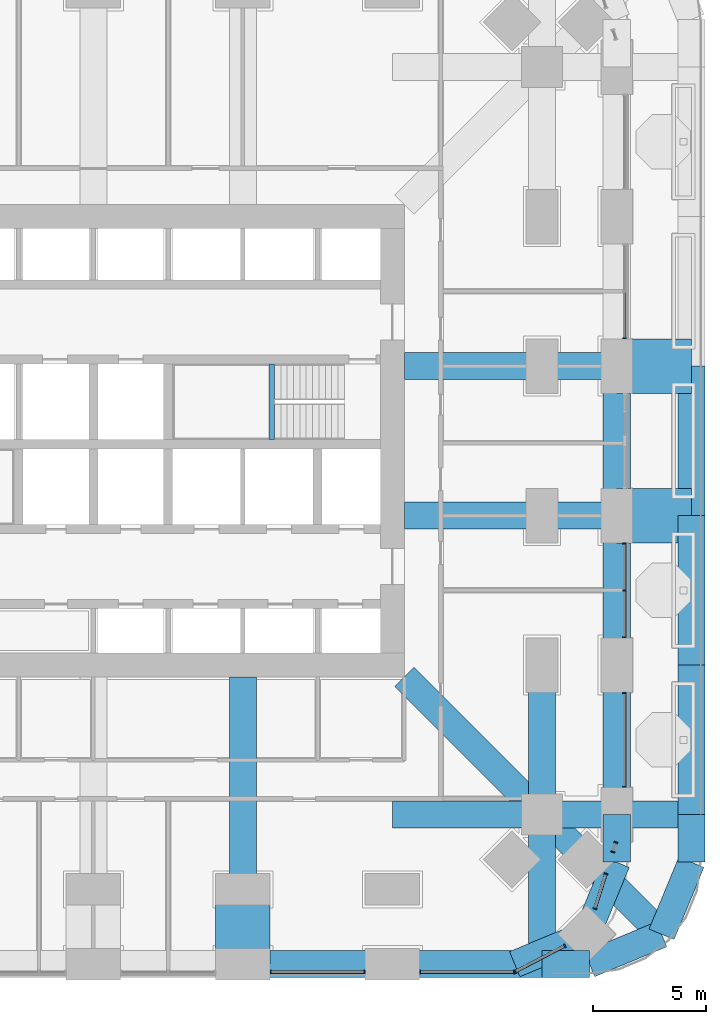
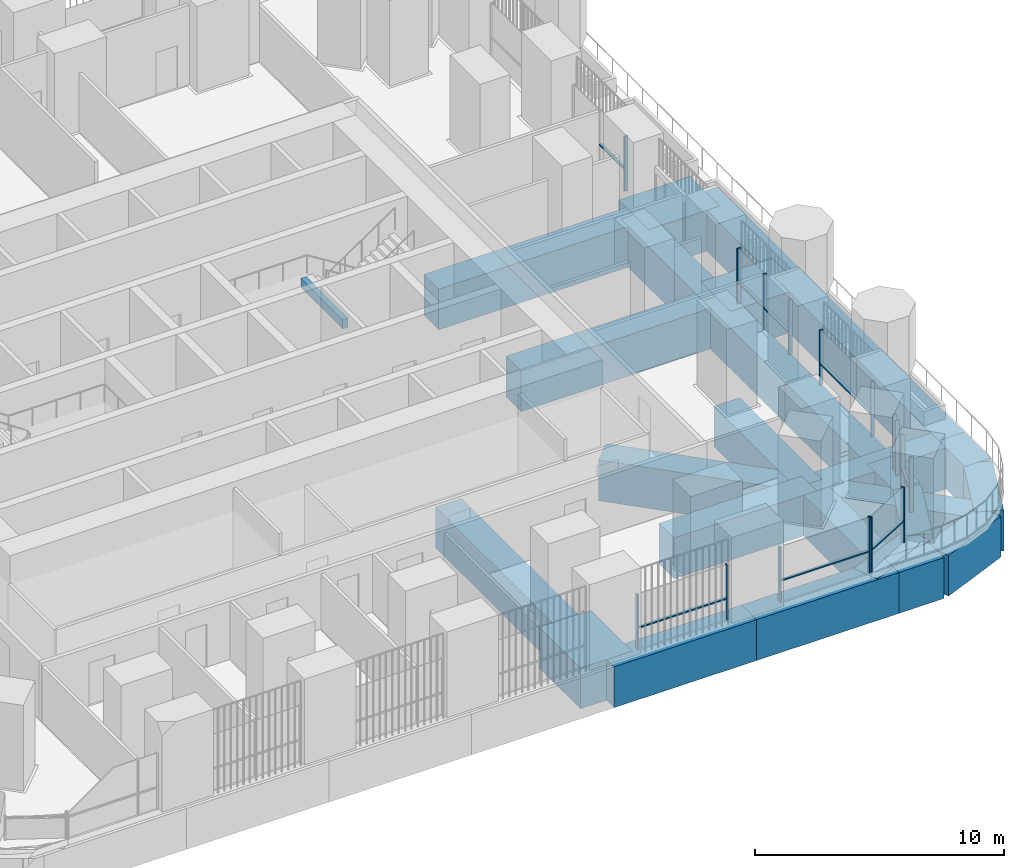
# One storey, part 5 of 27: 28 beams, 24 members, 8 elements without a shape of their own.
"""IFC4 building model written with IfcOpenShell, lengths in metres."""

from ifc_helpers import new_model, si_unit, direction, frame, origin, origin_2d, place, context, subcontext, project, spatial, rectangle, extrude, material, material_profile, profile_set, type_object, element, aggregate, save


model = new_model("IFC4")

# Units and contexts
model_context = context("Model", 3, precision=1e-05, world=origin(), true_north=direction((0.0, 1.0)))
body_context = subcontext(model_context, "Body", "Model", "MODEL_VIEW")
ifc_project = project(units=[si_unit("LENGTHUNIT", "METRE"), si_unit("AREAUNIT", "SQUARE_METRE"), si_unit("VOLUMEUNIT", "CUBIC_METRE"), si_unit("PLANEANGLEUNIT", "RADIAN"), si_unit("MASSUNIT", "GRAM", prefix="KILO")], contexts=[model_context])

# Site, building, storey
site_placement = place(None, origin())
site = spatial("IfcSite", under=ifc_project, at=site_placement, CompositionType="ELEMENT")
building_placement = place(site_placement, origin())
building = spatial("IfcBuilding", under=site, at=building_placement, Name="Cobogo Forest Laboratory Tower", CompositionType="ELEMENT")
storey_placement = place(building_placement, frame((0.0, 0.0, 82.199951171875)))
storey = spatial("IfcBuildingStorey", under=building, at=storey_placement, Name="L18", CompositionType="ELEMENT", Elevation=82.199951171875)

# Beam
ifc_material_1 = material(Name="Concrete HA-40 (C40/50)", Category="concrete")
ifc_material_profile_1 = material_profile(ifc_material_1, rectangle(XDim=0.25, YDim=0.449951171875, at=origin_2d()), Name="RC 250x450")
ifc_profile_set_1 = profile_set([ifc_material_profile_1], Name="Concrete HA-40 (C40/50)")
beam_type_1 = type_object("IfcBeamType", Name="LB1 landing beam 250x450", PredefinedType="BEAM", material=ifc_profile_set_1)
beam_1_placement = place(storey_placement, frame((34.27001953125, 23.14990234375, 1.675048828125), z_axis=(0.0, 1.0, 0.0), x_axis=(-1.0, 0.0, 0.0)))
element("IfcBeam", 1, at=beam_1_placement, inside=storey, type_object=beam_type_1, Name="Landing beam ST2 L18", PredefinedType="BEAM", context=body_context, shape_type="SweptSolid", body=[
    extrude(rectangle(XDim=0.25, YDim=0.449951171875, at=origin_2d()), origin(), (0.0, 0.0, 1.0), 3.35009765625),
])

# Curtain wall, members
ifc_material_2 = material(Name="Aluminium curtain wall", Category="aluminium")
curtain_wall_type = type_object("IfcCurtainWallType", Name="CW-1 unitised curtain wall, clear glazing, laboratory floors zones A and B", PredefinedType="USERDEFINED", material=ifc_material_2)
curtain_wall_1_placement = place(storey_placement, origin())
curtain_wall_1 = element("IfcCurtainWall", 2, at=curtain_wall_1_placement, inside=storey, type_object=curtain_wall_type, Name="Curtain wall 05 L18", ObjectType="UNITISED CURTAIN WALL", PredefinedType="USERDEFINED")
ifc_material_3 = material(Name="Aluminium mullion", Category="aluminium")
ifc_material_profile_2 = material_profile(ifc_material_3, rectangle(XDim=0.06005859375, YDim=0.159912109375, at=origin_2d()), Name="AL 60x160")
ifc_profile_set_2 = profile_set([ifc_material_profile_2], Name="Aluminium mullion")
member_type_1 = type_object("IfcMemberType", Name="MU-1 aluminium mullion 60x160", PredefinedType="MULLION", material=ifc_profile_set_2)
member_1_placement = place(storey_placement, frame((34.22998046875, -0.35009765625, 0.0), z_axis=(0.0, 0.0, 1.0), x_axis=(1.0, 0.0, 0.0)))
member_1 = element("IfcMember", 3, at=member_1_placement, type_object=member_type_1, Name="CW-1 mullion 1", PredefinedType="MULLION", context=body_context, shape_type="SweptSolid", body=[
    extrude(rectangle(XDim=0.06005859375, YDim=0.159912109375, at=origin_2d()), origin(), (0.0, 0.0, 1.0), 2.699951171875),
])
member_2_placement = place(storey_placement, frame((38.3701171875, -0.35009765625, 0.0), z_axis=(0.0, 0.0, 1.0), x_axis=(1.0, 0.0, 0.0)))
member_2 = element("IfcMember", 4, at=member_2_placement, type_object=member_type_1, Name="CW-1 mullion 2", PredefinedType="MULLION", context=body_context, shape_type="SweptSolid", body=[
    extrude(rectangle(XDim=0.06005859375, YDim=0.159912109375, at=origin_2d()), origin(), (0.0, 0.0, 1.0), 2.699951171875),
])

curtain_wall_2_placement = place(storey_placement, origin())
curtain_wall_2 = element("IfcCurtainWall", 5, at=curtain_wall_2_placement, inside=storey, type_object=curtain_wall_type, Name="Curtain wall 06 L18", ObjectType="UNITISED CURTAIN WALL", PredefinedType="USERDEFINED")
member_3_placement = place(storey_placement, frame((40.830078125, -0.35009765625, 0.0), z_axis=(0.0, 0.0, 1.0), x_axis=(1.0, 0.0, 0.0)))
member_3 = element("IfcMember", 6, at=member_3_placement, type_object=member_type_1, Name="CW-1 mullion 1", PredefinedType="MULLION", context=body_context, shape_type="SweptSolid", body=[
    extrude(rectangle(XDim=0.06005859375, YDim=0.159912109375, at=origin_2d()), origin(), (0.0, 0.0, 1.0), 2.699951171875),
])
member_4_placement = place(storey_placement, frame((44.969970703125, -0.35009765625, 0.0), z_axis=(0.0, 0.0, 1.0), x_axis=(1.0, 0.0, 0.0)))
member_4 = element("IfcMember", 7, at=member_4_placement, type_object=member_type_1, Name="CW-1 mullion 2", PredefinedType="MULLION", context=body_context, shape_type="SweptSolid", body=[
    extrude(rectangle(XDim=0.06005859375, YDim=0.159912109375, at=origin_2d()), origin(), (0.0, 0.0, 1.0), 2.699951171875),
])

curtain_wall_3_placement = place(storey_placement, origin())
curtain_wall_3 = element("IfcCurtainWall", 8, at=curtain_wall_3_placement, inside=storey, type_object=curtain_wall_type, Name="Curtain wall 07 L18", ObjectType="UNITISED CURTAIN WALL", PredefinedType="USERDEFINED")
member_5_placement = place(storey_placement, frame((45.026611328125, -0.336181640625, 0.0), z_axis=(0.0, 0.0, 1.0), x_axis=(0.885686598126, 0.4642835878, 0.0)))
member_5 = element("IfcMember", 9, at=member_5_placement, type_object=member_type_1, Name="CW-1 mullion 1", PredefinedType="MULLION", context=body_context, shape_type="SweptSolid", body=[
    extrude(rectangle(XDim=0.06005859375, YDim=0.159912109375, at=origin_2d()), origin(), (0.0, 0.0, 1.0), 2.699951171875),
])
member_6_placement = place(storey_placement, frame((47.19970703125, 0.80322265625, 0.0), z_axis=(0.0, 0.0, 1.0), x_axis=(0.885686598126, 0.4642835878, 0.0)))
member_6 = element("IfcMember", 10, at=member_6_placement, type_object=member_type_1, Name="CW-1 mullion 2", PredefinedType="MULLION", context=body_context, shape_type="SweptSolid", body=[
    extrude(rectangle(XDim=0.06005859375, YDim=0.159912109375, at=origin_2d()), origin(), (0.0, 0.0, 1.0), 2.699951171875),
])

curtain_wall_4_placement = place(storey_placement, origin())
curtain_wall_4 = element("IfcCurtainWall", 11, at=curtain_wall_4_placement, inside=storey, type_object=curtain_wall_type, Name="Curtain wall 08 L18", ObjectType="UNITISED CURTAIN WALL", PredefinedType="USERDEFINED")
member_7_placement = place(storey_placement, frame((48.54052734375, 2.45361328125, 0.0), z_axis=(0.0, 0.0, 1.0), x_axis=(0.301135106076, 0.953581484661, 0.0)))
member_7 = element("IfcMember", 12, at=member_7_placement, type_object=member_type_1, Name="CW-1 mullion 1", PredefinedType="MULLION", context=body_context, shape_type="SweptSolid", body=[
    extrude(rectangle(XDim=0.06005859375, YDim=0.159912109375, at=origin_2d()), origin(), (0.0, 0.0, 1.0), 2.699951171875),
])
member_8_placement = place(storey_placement, frame((49.023681640625, 3.983642578125, 0.0), z_axis=(0.0, 0.0, 1.0), x_axis=(0.301135106076, 0.953581484661, 0.0)))
member_8 = element("IfcMember", 13, at=member_8_placement, type_object=member_type_1, Name="CW-1 mullion 2", PredefinedType="MULLION", context=body_context, shape_type="SweptSolid", body=[
    extrude(rectangle(XDim=0.06005859375, YDim=0.159912109375, at=origin_2d()), origin(), (0.0, 0.0, 1.0), 2.699951171875),
])

curtain_wall_5_placement = place(storey_placement, origin())
curtain_wall_5 = element("IfcCurtainWall", 14, at=curtain_wall_5_placement, inside=storey, type_object=curtain_wall_type, Name="Curtain wall 09 L18", ObjectType="UNITISED CURTAIN WALL", PredefinedType="USERDEFINED")
member_9_placement = place(storey_placement, frame((49.33251953125, 4.961669921875, 0.0), z_axis=(0.0, 0.0, 1.0), x_axis=(0.301134593201, 0.953581646624, 0.0)))
member_9 = element("IfcMember", 15, at=member_9_placement, type_object=member_type_1, Name="CW-1 mullion 1", PredefinedType="MULLION", context=body_context, shape_type="SweptSolid", body=[
    extrude(rectangle(XDim=0.06005859375, YDim=0.159912109375, at=origin_2d()), origin(), (0.0, 0.0, 1.0), 2.699951171875),
])
member_10_placement = place(storey_placement, frame((49.4619140625, 5.371337890625, 0.0), z_axis=(0.0, 0.0, 1.0), x_axis=(0.301134593201, 0.953581646624, 0.0)))
member_10 = element("IfcMember", 16, at=member_10_placement, type_object=member_type_1, Name="CW-1 mullion 2", PredefinedType="MULLION", context=body_context, shape_type="SweptSolid", body=[
    extrude(rectangle(XDim=0.06005859375, YDim=0.159912109375, at=origin_2d()), origin(), (0.0, 0.0, 1.0), 2.699951171875),
])
aggregate(curtain_wall_5, [member_9, member_10])

curtain_wall_6_placement = place(storey_placement, origin())
curtain_wall_6 = element("IfcCurtainWall", 17, at=curtain_wall_6_placement, inside=storey, type_object=curtain_wall_type, Name="Curtain wall 10 L18", ObjectType="UNITISED CURTAIN WALL", PredefinedType="USERDEFINED")
member_11_placement = place(storey_placement, frame((49.85009765625, 7.830078125, 0.0), z_axis=(0.0, 0.0, 1.0), x_axis=(0.0, 1.0, 0.0)))
member_11 = element("IfcMember", 18, at=member_11_placement, type_object=member_type_1, Name="CW-1 mullion 1", PredefinedType="MULLION", context=body_context, shape_type="SweptSolid", body=[
    extrude(rectangle(XDim=0.06005859375, YDim=0.159912109375, at=origin_2d()), origin(), (0.0, 0.0, 1.0), 2.699951171875),
])
member_12_placement = place(storey_placement, frame((49.85009765625, 11.969970703125, 0.0), z_axis=(0.0, 0.0, 1.0), x_axis=(0.0, 1.0, 0.0)))
member_12 = element("IfcMember", 19, at=member_12_placement, type_object=member_type_1, Name="CW-1 mullion 2", PredefinedType="MULLION", context=body_context, shape_type="SweptSolid", body=[
    extrude(rectangle(XDim=0.06005859375, YDim=0.159912109375, at=origin_2d()), origin(), (0.0, 0.0, 1.0), 2.699951171875),
])

curtain_wall_7_placement = place(storey_placement, origin())
curtain_wall_7 = element("IfcCurtainWall", 20, at=curtain_wall_7_placement, inside=storey, type_object=curtain_wall_type, Name="Curtain wall 11 L18", ObjectType="UNITISED CURTAIN WALL", PredefinedType="USERDEFINED")
member_13_placement = place(storey_placement, frame((49.85009765625, 14.429931640625, 0.0), z_axis=(0.0, 0.0, 1.0), x_axis=(0.0, 1.0, 0.0)))
member_13 = element("IfcMember", 21, at=member_13_placement, type_object=member_type_1, Name="CW-1 mullion 1", PredefinedType="MULLION", context=body_context, shape_type="SweptSolid", body=[
    extrude(rectangle(XDim=0.06005859375, YDim=0.159912109375, at=origin_2d()), origin(), (0.0, 0.0, 1.0), 2.699951171875),
])
member_14_placement = place(storey_placement, frame((49.85009765625, 16.5, 0.0), z_axis=(0.0, 0.0, 1.0), x_axis=(0.0, 1.0, 0.0)))
member_14 = element("IfcMember", 22, at=member_14_placement, type_object=member_type_1, Name="CW-1 mullion 2", PredefinedType="MULLION", context=body_context, shape_type="SweptSolid", body=[
    extrude(rectangle(XDim=0.06005859375, YDim=0.159912109375, at=origin_2d()), origin(), (0.0, 0.0, 1.0), 2.699951171875),
])
member_15_placement = place(storey_placement, frame((49.85009765625, 18.570068359375, 0.0), z_axis=(0.0, 0.0, 1.0), x_axis=(0.0, 1.0, 0.0)))
member_15 = element("IfcMember", 23, at=member_15_placement, type_object=member_type_1, Name="CW-1 mullion 3", PredefinedType="MULLION", context=body_context, shape_type="SweptSolid", body=[
    extrude(rectangle(XDim=0.06005859375, YDim=0.159912109375, at=origin_2d()), origin(), (0.0, 0.0, 1.0), 2.699951171875),
])

# Curtain wall, member
curtain_wall_8_placement = place(storey_placement, origin())
curtain_wall_8 = element("IfcCurtainWall", 24, at=curtain_wall_8_placement, inside=storey, type_object=curtain_wall_type, Name="Curtain wall 13 L18", ObjectType="UNITISED CURTAIN WALL", PredefinedType="USERDEFINED")
member_16_placement = place(storey_placement, frame((49.85009765625, 27.6298828125, 0.0), z_axis=(0.0, 0.0, 1.0), x_axis=(0.0, 1.0, 0.0)))
member_16 = element("IfcMember", 25, at=member_16_placement, type_object=member_type_1, Name="CW-1 mullion 1", PredefinedType="MULLION", context=body_context, shape_type="SweptSolid", body=[
    extrude(rectangle(XDim=0.06005859375, YDim=0.159912109375, at=origin_2d()), origin(), (0.0, 0.0, 1.0), 2.699951171875),
])

# Beams
ifc_material_4 = material(Name="Concrete HA-50 (C50/60)", Category="concrete")
ifc_material_profile_3 = material_profile(ifc_material_4, rectangle(XDim=2.39990234375, YDim=2.0, at=origin_2d()), Name="RC 2400x2000")
ifc_profile_set_3 = profile_set([ifc_material_profile_3], Name="Concrete HA-50 (C50/60)")
beam_type_2 = type_object("IfcBeamType", Name="Setback floor end-bay girder 2400x2000", PredefinedType="BEAM", material=ifc_profile_set_3)
for number, where, z_axis, x_axis, name in (
    (26, (33.0, 0.0, -1.300048828125), (0.0, 1.0, 0.0), (-1.0, 0.0, 0.0), "TG3 R-6-S-X L18"),
    (27, (52.800048828125, 19.800048828125, -1.300048828125), (-1.0, 0.0, 0.0), (0.0, -1.0, 0.0), "TG3 R-D-E-X L18"),
    (28, (52.800048828125, 26.39990234375, -1.300048828125), (-1.0, 0.0, 0.0), (0.0, -1.0, 0.0), "TG3 R-E-E-X L18"),
):
    element("IfcBeam", number, at=place(storey_placement, frame(where, z_axis=z_axis, x_axis=x_axis)), inside=storey, type_object=beam_type_2, Name=name, PredefinedType="BEAM", context=body_context, shape_type="SweptSolid", body=[
        extrude(rectangle(XDim=2.39990234375, YDim=2.0, at=origin_2d()), origin(), (0.0, 0.0, 1.0), 3.300048828125),
    ])
ifc_material_profile_4 = material_profile(ifc_material_1, rectangle(XDim=1.199951171875, YDim=2.0, at=origin_2d()), Name="RC 1200x2000")
ifc_profile_set_4 = profile_set([ifc_material_profile_4], Name="Concrete HA-40 (C40/50)")
beam_type_3 = type_object("IfcBeamType", Name="Setback floor girder 1200x2000", PredefinedType="BEAM", material=ifc_profile_set_4)
for number, where, z_axis, x_axis, name in (
    (29, (33.0, 12.675048828125, -1.300048828125), (0.0, -1.0, 0.0), (1.0, 0.0, 0.0), "TG2 R-6-S L18"),
    (30, (40.125, 19.800048828125, -1.300048828125), (1.0, 0.0, 0.0), (0.0, 1.0, 0.0), "TG2 R-D-E L18"),
    (31, (40.125, 26.39990234375, -1.300048828125), (1.0, 0.0, 0.0), (0.0, 1.0, 0.0), "TG2 R-E-E L18"),
):
    element("IfcBeam", number, at=place(storey_placement, frame(where, z_axis=z_axis, x_axis=x_axis)), inside=storey, type_object=beam_type_3, Name=name, PredefinedType="BEAM", context=body_context, shape_type="SweptSolid", body=[
        extrude(rectangle(XDim=1.199951171875, YDim=2.0, at=origin_2d()), origin(), (0.0, 0.0, 1.0), 9.375),
    ])
beam_2_placement = place(storey_placement, frame((46.199951171875, 0.0, -1.300048828125), z_axis=(0.0, 1.0, 0.0), x_axis=(-1.0, 0.0, 0.0)))
element("IfcBeam", 32, at=beam_2_placement, inside=storey, type_object=beam_type_3, Name="TG2 G-SE-XF L18", PredefinedType="BEAM", context=body_context, shape_type="SweptSolid", body=[
    extrude(rectangle(XDim=1.199951171875, YDim=2.0, at=origin_2d()), origin(), (0.0, 0.0, 1.0), 6.60009765625),
])
beam_3_placement = place(storey_placement, frame((46.199951171875, 6.60009765625, -1.300048828125), z_axis=(0.0, 1.0, 0.0), x_axis=(-1.0, 0.0, 0.0)))
element("IfcBeam", 33, at=beam_3_placement, inside=storey, type_object=beam_type_3, Name="TG2 G-SE-XC L18", PredefinedType="BEAM", context=body_context, shape_type="SweptSolid", body=[
    extrude(rectangle(XDim=1.199951171875, YDim=2.0, at=origin_2d()), origin(), (0.0, 0.0, 1.0), 6.599853515625),
])
beam_4_placement = place(storey_placement, frame((52.800048828125, 6.60009765625, -1.300048828125), z_axis=(-1.0, 0.0, 0.0), x_axis=(0.0, -1.0, 0.0)))
element("IfcBeam", 34, at=beam_4_placement, inside=storey, type_object=beam_type_3, Name="TG2 G-SE-YF L18", PredefinedType="BEAM", context=body_context, shape_type="SweptSolid", body=[
    extrude(rectangle(XDim=1.199951171875, YDim=2.0, at=origin_2d()), origin(), (0.0, 0.0, 1.0), 6.60009765625),
])
beam_5_placement = place(storey_placement, frame((46.199951171875, 6.60009765625, -1.300048828125), z_axis=(-1.0, 0.0, 0.0), x_axis=(0.0, -1.0, 0.0)))
element("IfcBeam", 35, at=beam_5_placement, inside=storey, type_object=beam_type_3, Name="TG2 G-SE-YC L18", PredefinedType="BEAM", context=body_context, shape_type="SweptSolid", body=[
    extrude(rectangle(XDim=1.199951171875, YDim=2.0, at=origin_2d()), origin(), (0.0, 0.0, 1.0), 6.599853515625),
])
beam_6_placement = place(storey_placement, frame((51.48193359375, 1.318115234375, -1.300048828125), z_axis=(-0.707106781187, 0.707106781187, 0.0), x_axis=(-0.707106781187, -0.707106781187, 0.0)))
element("IfcBeam", 36, at=beam_6_placement, inside=storey, type_object=beam_type_3, Name="TG2 G-SE-D1 L18", PredefinedType="BEAM", context=body_context, shape_type="SweptSolid", body=[
    extrude(rectangle(XDim=1.199951171875, YDim=2.0, at=origin_2d()), origin(), (0.0, 0.0, 1.0), 7.469970703125),
])
beam_7_placement = place(storey_placement, frame((46.199951171875, 6.60009765625, -1.300048828125), z_axis=(-0.707106781187, 0.707106781187, 0.0), x_axis=(-0.707106781187, -0.707106781187, 0.0)))
element("IfcBeam", 37, at=beam_7_placement, inside=storey, type_object=beam_type_3, Name="TG2 G-SE-D2 L18", PredefinedType="BEAM", context=body_context, shape_type="SweptSolid", body=[
    extrude(rectangle(XDim=1.199951171875, YDim=2.0, at=origin_2d()), origin(), (0.0, 0.0, 1.0), 8.59130859375),
])
beam_8_placement = place(storey_placement, frame((33.0, 0.0, -1.300048828125), z_axis=(1.0, 0.0, 0.0), x_axis=(0.0, 1.0, 0.0)))
element("IfcBeam", 38, at=beam_8_placement, inside=storey, type_object=beam_type_3, Name="TG2 E-S5 L18", PredefinedType="BEAM", context=body_context, shape_type="SweptSolid", body=[
    extrude(rectangle(XDim=1.199951171875, YDim=2.0, at=origin_2d()), origin(), (0.0, 0.0, 1.0), 6.60009765625),
])
for number, where, z_axis, x_axis, name in (
    (39, (39.60009765625, 0.0, -1.300048828125), (1.0, 0.0, 0.0), (0.0, 1.0, 0.0), "TG2 E-S6 L18"),
    (40, (52.800048828125, 6.60009765625, -1.300048828125), (0.0, 1.0, 0.0), (-1.0, 0.0, 0.0), "TG2 E-E1 L18"),
):
    element("IfcBeam", number, at=place(storey_placement, frame(where, z_axis=z_axis, x_axis=x_axis)), inside=storey, type_object=beam_type_3, Name=name, PredefinedType="BEAM", context=body_context, shape_type="SweptSolid", body=[
        extrude(rectangle(XDim=1.199951171875, YDim=2.0, at=origin_2d()), origin(), (0.0, 0.0, 1.0), 6.599853515625),
    ])
beam_9_placement = place(storey_placement, frame((52.800048828125, 13.199951171875, -1.300048828125), z_axis=(0.0, 1.0, 0.0), x_axis=(-1.0, 0.0, 0.0)))
element("IfcBeam", 41, at=beam_9_placement, inside=storey, type_object=beam_type_3, Name="TG2 E-E2 L18", PredefinedType="BEAM", context=body_context, shape_type="SweptSolid", body=[
    extrude(rectangle(XDim=1.199951171875, YDim=2.0, at=origin_2d()), origin(), (0.0, 0.0, 1.0), 6.60009765625),
])
beam_10_placement = place(storey_placement, frame((52.800048828125, 19.800048828125, -1.300048828125), z_axis=(0.0, 1.0, 0.0), x_axis=(-1.0, 0.0, 0.0)))
element("IfcBeam", 42, at=beam_10_placement, inside=storey, type_object=beam_type_3, Name="TG2 E-E3 L18", PredefinedType="BEAM", context=body_context, shape_type="SweptSolid", body=[
    extrude(rectangle(XDim=1.199951171875, YDim=2.0, at=origin_2d()), origin(), (0.0, 0.0, 1.0), 6.599853515625),
])
beam_11_placement = place(storey_placement, frame((46.199951171875, 0.0, -1.300048828125), z_axis=(1.0, 0.0, 0.0), x_axis=(0.0, 1.0, 0.0)))
element("IfcBeam", 43, at=beam_11_placement, inside=storey, type_object=beam_type_3, Name="TG2 E-SES1 L18", PredefinedType="BEAM", context=body_context, shape_type="SweptSolid", body=[
    extrude(rectangle(XDim=1.199951171875, YDim=2.0, at=origin_2d()), origin(), (0.0, 0.0, 1.0), 2.10009765625),
])
beam_12_placement = place(storey_placement, frame((48.300048828125, 0.0, -1.300048828125), z_axis=(0.923865631356, 0.382716990999, 0.0), x_axis=(-0.382716990999, 0.923865631356, 0.0)))
element("IfcBeam", 44, at=beam_12_placement, inside=storey, type_object=beam_type_3, Name="TG2 E-SES2 L18", PredefinedType="BEAM", context=body_context, shape_type="SweptSolid", body=[
    extrude(rectangle(XDim=1.199951171875, YDim=2.0, at=origin_2d()), origin(), (0.0, 0.0, 1.0), 3.444091796875),
])
beam_13_placement = place(storey_placement, frame((52.800048828125, 6.60009765625, -1.300048828125), z_axis=(0.0, -1.0, 0.0), x_axis=(1.0, 0.0, 0.0)))
element("IfcBeam", 45, at=beam_13_placement, inside=storey, type_object=beam_type_3, Name="TG2 E-SEE1 L18", PredefinedType="BEAM", context=body_context, shape_type="SweptSolid", body=[
    extrude(rectangle(XDim=1.199951171875, YDim=2.0, at=origin_2d()), origin(), (0.0, 0.0, 1.0), 2.10009765625),
])
beam_14_placement = place(storey_placement, frame((52.800048828125, 4.5, -1.300048828125), z_axis=(-0.382716990999, -0.923865631356, 0.0), x_axis=(0.923865631356, -0.382716990999, 0.0)))
element("IfcBeam", 46, at=beam_14_placement, inside=storey, type_object=beam_type_3, Name="TG2 E-SEE2 L18", PredefinedType="BEAM", context=body_context, shape_type="SweptSolid", body=[
    extrude(rectangle(XDim=1.199951171875, YDim=2.0, at=origin_2d()), origin(), (0.0, 0.0, 1.0), 3.444091796875),
])
beam_15_placement = place(storey_placement, frame((49.5, 6.60009765625, -1.300048828125), z_axis=(0.0, 1.0, 0.0), x_axis=(-1.0, 0.0, 0.0)))
element("IfcBeam", 47, at=beam_15_placement, inside=storey, type_object=beam_type_3, Name="TG2 UE-E1 L18", PredefinedType="BEAM", context=body_context, shape_type="SweptSolid", body=[
    extrude(rectangle(XDim=1.199951171875, YDim=2.0, at=origin_2d()), origin(), (0.0, 0.0, 1.0), 6.599853515625),
])
beam_16_placement = place(storey_placement, frame((49.5, 13.199951171875, -1.300048828125), z_axis=(0.0, 1.0, 0.0), x_axis=(-1.0, 0.0, 0.0)))
element("IfcBeam", 48, at=beam_16_placement, inside=storey, type_object=beam_type_3, Name="TG2 UE-E2 L18", PredefinedType="BEAM", context=body_context, shape_type="SweptSolid", body=[
    extrude(rectangle(XDim=1.199951171875, YDim=2.0, at=origin_2d()), origin(), (0.0, 0.0, 1.0), 6.60009765625),
])
beam_17_placement = place(storey_placement, frame((49.5, 19.800048828125, -1.300048828125), z_axis=(0.0, 1.0, 0.0), x_axis=(-1.0, 0.0, 0.0)))
element("IfcBeam", 49, at=beam_17_placement, inside=storey, type_object=beam_type_3, Name="TG2 UE-E3 L18", PredefinedType="BEAM", context=body_context, shape_type="SweptSolid", body=[
    extrude(rectangle(XDim=1.199951171875, YDim=2.0, at=origin_2d()), origin(), (0.0, 0.0, 1.0), 6.599853515625),
])
beam_18_placement = place(storey_placement, frame((45.0, 0.0, -1.300048828125), z_axis=(0.923865631356, 0.382716990999, 0.0), x_axis=(-0.382716990999, 0.923865631356, 0.0)))
element("IfcBeam", 50, at=beam_18_placement, inside=storey, type_object=beam_type_3, Name="TG2 UE-SES2 L18", PredefinedType="BEAM", context=body_context, shape_type="SweptSolid", body=[
    extrude(rectangle(XDim=1.199951171875, YDim=2.0, at=origin_2d()), origin(), (0.0, 0.0, 1.0), 3.444091796875),
])
beam_19_placement = place(storey_placement, frame((49.5, 6.60009765625, -1.300048828125), z_axis=(0.0, -1.0, 0.0), x_axis=(1.0, 0.0, 0.0)))
element("IfcBeam", 51, at=beam_19_placement, inside=storey, type_object=beam_type_3, Name="TG2 UE-SEE1 L18", PredefinedType="BEAM", context=body_context, shape_type="SweptSolid", body=[
    extrude(rectangle(XDim=1.199951171875, YDim=2.0, at=origin_2d()), origin(), (0.0, 0.0, 1.0), 2.10009765625),
])
beam_20_placement = place(storey_placement, frame((49.5, 4.5, -1.300048828125), z_axis=(-0.382716990999, -0.923865631356, 0.0), x_axis=(0.923865631356, -0.382716990999, 0.0)))
element("IfcBeam", 52, at=beam_20_placement, inside=storey, type_object=beam_type_3, Name="TG2 UE-SEE2 L18", PredefinedType="BEAM", context=body_context, shape_type="SweptSolid", body=[
    extrude(rectangle(XDim=1.199951171875, YDim=2.0, at=origin_2d()), origin(), (0.0, 0.0, 1.0), 3.444091796875),
])

# Member
ifc_material_5 = material(Name="Aluminium transom", Category="aluminium")
ifc_material_profile_5 = material_profile(ifc_material_5, rectangle(XDim=0.1201171875, YDim=0.06005859375, at=origin_2d()), Name="AL 60x120")
ifc_profile_set_5 = profile_set([ifc_material_profile_5], Name="Aluminium transom")
member_type_2 = type_object("IfcMemberType", Name="TR-1 aluminium transom 60x120", PredefinedType="USERDEFINED", material=ifc_profile_set_5)
member_17_placement = place(storey_placement, frame((34.260009765625, -0.35009765625, 1.050048828125), z_axis=(1.0, 0.0, 0.0), x_axis=(0.0, 1.0, 0.0)))
member_17 = element("IfcMember", 53, at=member_17_placement, type_object=member_type_2, Name="CW-1 transom 1.1", ObjectType="TRANSOM", PredefinedType="USERDEFINED", context=body_context, shape_type="SweptSolid", body=[
    extrude(rectangle(XDim=0.1201171875, YDim=0.06005859375, at=origin_2d()), origin(), (0.0, 0.0, 1.0), 4.080078125),
])

aggregate(curtain_wall_1, [member_1, member_2, member_17])

member_18_placement = place(storey_placement, frame((40.860107421875, -0.35009765625, 1.050048828125), z_axis=(1.0, 0.0, 0.0), x_axis=(0.0, 1.0, 0.0)))
member_18 = element("IfcMember", 54, at=member_18_placement, type_object=member_type_2, Name="CW-1 transom 1.1", ObjectType="TRANSOM", PredefinedType="USERDEFINED", context=body_context, shape_type="SweptSolid", body=[
    extrude(rectangle(XDim=0.1201171875, YDim=0.06005859375, at=origin_2d()), origin(), (0.0, 0.0, 1.0), 4.079833984375),
])

aggregate(curtain_wall_2, [member_3, member_4, member_18])

member_19_placement = place(storey_placement, frame((45.05322265625, -0.322021484375, 1.050048828125), z_axis=(0.885673763863, 0.464308070149, 0.0), x_axis=(-0.464308070149, 0.885673763863, 0.0)))
member_19 = element("IfcMember", 55, at=member_19_placement, type_object=member_type_2, Name="CW-1 transom 1.1", ObjectType="TRANSOM", PredefinedType="USERDEFINED", context=body_context, shape_type="SweptSolid", body=[
    extrude(rectangle(XDim=0.1201171875, YDim=0.06005859375, at=origin_2d()), origin(), (0.0, 0.0, 1.0), 2.3935546875),
])

aggregate(curtain_wall_3, [member_5, member_6, member_19])

member_20_placement = place(storey_placement, frame((48.549560546875, 2.482177734375, 1.050048828125), z_axis=(0.301108673769, 0.953589831417, 0.0), x_axis=(-0.953589831417, 0.301108673769, 0.0)))
member_20 = element("IfcMember", 56, at=member_20_placement, type_object=member_type_2, Name="CW-1 transom 1.1", ObjectType="TRANSOM", PredefinedType="USERDEFINED", context=body_context, shape_type="SweptSolid", body=[
    extrude(rectangle(XDim=0.1201171875, YDim=0.06005859375, at=origin_2d()), origin(), (0.0, 0.0, 1.0), 1.544677734375),
])

aggregate(curtain_wall_4, [member_7, member_8, member_20])

member_21_placement = place(storey_placement, frame((49.85009765625, 7.860107421875, 1.050048828125), z_axis=(0.0, 1.0, 0.0), x_axis=(-1.0, 0.0, 0.0)))
member_21 = element("IfcMember", 57, at=member_21_placement, type_object=member_type_2, Name="CW-1 transom 1.1", ObjectType="TRANSOM", PredefinedType="USERDEFINED", context=body_context, shape_type="SweptSolid", body=[
    extrude(rectangle(XDim=0.1201171875, YDim=0.06005859375, at=origin_2d()), origin(), (0.0, 0.0, 1.0), 4.079833984375),
])

aggregate(curtain_wall_6, [member_11, member_12, member_21])

member_22_placement = place(storey_placement, frame((49.85009765625, 14.4599609375, 1.050048828125), z_axis=(0.0, 1.0, 0.0), x_axis=(-1.0, 0.0, 0.0)))
member_22 = element("IfcMember", 58, at=member_22_placement, type_object=member_type_2, Name="CW-1 transom 1.1", ObjectType="TRANSOM", PredefinedType="USERDEFINED", context=body_context, shape_type="SweptSolid", body=[
    extrude(rectangle(XDim=0.1201171875, YDim=0.06005859375, at=origin_2d()), origin(), (0.0, 0.0, 1.0), 2.010009765625),
])

member_23_placement = place(storey_placement, frame((49.85009765625, 16.530029296875, 1.050048828125), z_axis=(0.0, 1.0, 0.0), x_axis=(-1.0, 0.0, 0.0)))
member_23 = element("IfcMember", 59, at=member_23_placement, type_object=member_type_2, Name="CW-1 transom 2.1", ObjectType="TRANSOM", PredefinedType="USERDEFINED", context=body_context, shape_type="SweptSolid", body=[
    extrude(rectangle(XDim=0.1201171875, YDim=0.06005859375, at=origin_2d()), origin(), (0.0, 0.0, 1.0), 2.010009765625),
])

aggregate(curtain_wall_7, [member_13, member_14, member_15, member_22, member_23])

member_24_placement = place(storey_placement, frame((49.85009765625, 27.659912109375, 1.050048828125), z_axis=(0.0, 1.0, 0.0), x_axis=(-1.0, 0.0, 0.0)))
member_24 = element("IfcMember", 60, at=member_24_placement, type_object=member_type_2, Name="CW-1 transom 1.1", ObjectType="TRANSOM", PredefinedType="USERDEFINED", context=body_context, shape_type="SweptSolid", body=[
    extrude(rectangle(XDim=0.1201171875, YDim=0.06005859375, at=origin_2d()), origin(), (0.0, 0.0, 1.0), 2.010009765625),
])

aggregate(curtain_wall_8, [member_16, member_24])

save(model, "model.ifc")
